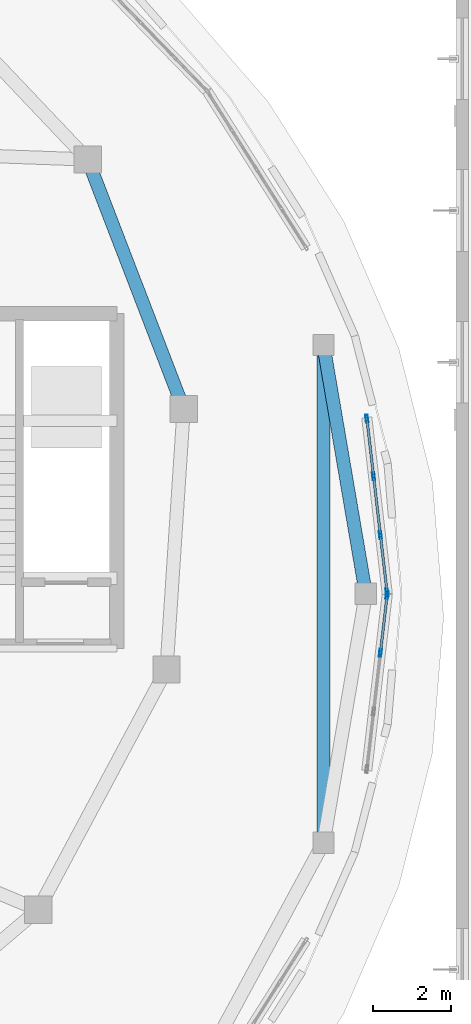
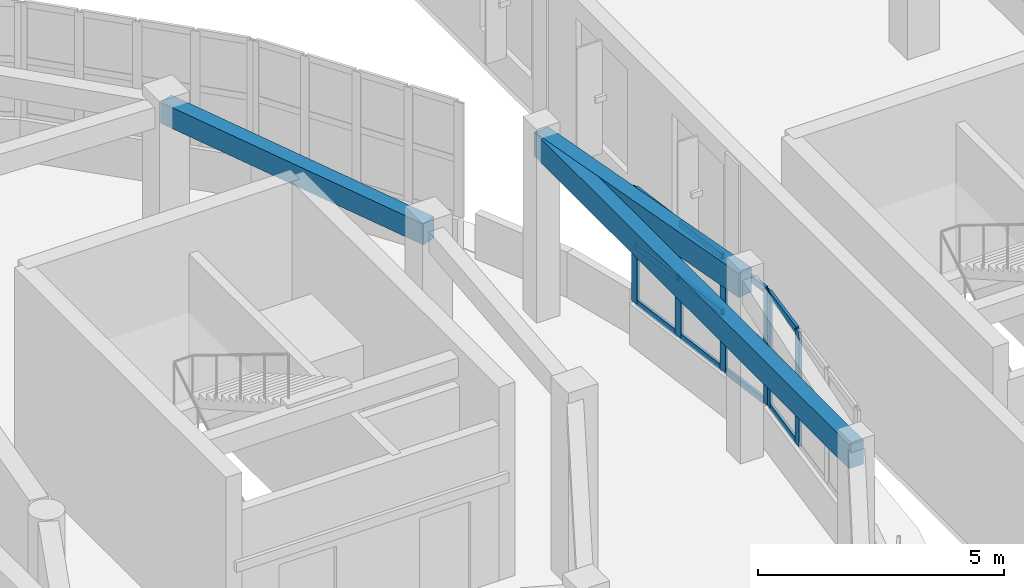
# One storey, part 51 of 98: 18 members, 3 beams, 2 elements without a shape of their own.
"""IFC4 building model written with IfcOpenShell, lengths in metres."""

from ifc_helpers import new_model, si_unit, direction, frame, origin, origin_2d, place, context, subcontext, project, spatial, rectangle, hollow_rectangle, extrude, material, layer, layer_set, material_profile, profile_set, type_object, element, aggregate, save


model = new_model("IFC4")

# Units and contexts
model_context = context("Model", 3, precision=1e-05, world=origin(), true_north=direction((0.0, 1.0)))
body_context = subcontext(model_context, "Body", "Model", "MODEL_VIEW")
ifc_project = project(units=[si_unit("LENGTHUNIT", "METRE"), si_unit("AREAUNIT", "SQUARE_METRE"), si_unit("VOLUMEUNIT", "CUBIC_METRE"), si_unit("PLANEANGLEUNIT", "RADIAN"), si_unit("MASSUNIT", "GRAM", prefix="KILO")], contexts=[model_context])

# Site, building, storey
site_placement = place(None, origin())
site = spatial("IfcSite", under=ifc_project, at=site_placement, CompositionType="ELEMENT")
building_placement = place(site_placement, origin())
building = spatial("IfcBuilding", under=site, at=building_placement, Name="Pelvatis Terrace Science Centre", CompositionType="ELEMENT")
storey_placement = place(building_placement, frame((0.0, 0.0, 5.39990234375)))
storey = spatial("IfcBuildingStorey", under=building, at=storey_placement, Name="L01", CompositionType="ELEMENT", Elevation=5.39990234375)

# Beam
ifc_material_1 = material(Name="Concrete C35/45", Category="concrete")
ifc_material_profile_1 = material_profile(ifc_material_1, rectangle(XDim=0.340087890625, YDim=0.52001953125, at=origin_2d()), Name="RC-BM 340x520")
ifc_profile_set_1 = profile_set([ifc_material_profile_1], Name="Concrete C35/45")
beam_type_1 = type_object("IfcBeamType", Name="BM-RC-340x520", PredefinedType="BEAM", material=ifc_profile_set_1)
beam_1_placement = place(storey_placement, frame((133.31884765625, 87.552001953125, 4.280029296875), z_axis=(-0.359224405227, 0.933251213066, 0.0), x_axis=(-0.933251213066, -0.359224405227, 0.0)))
element("IfcBeam", 1, at=beam_1_placement, inside=storey, type_object=beam_type_1, Name="Beam BM-L01-2621", PredefinedType="BEAM", context=body_context, shape_type="SweptSolid", body=[
    extrude(rectangle(XDim=0.340087890625, YDim=0.52001953125, at=origin_2d()), origin(), (0.0, 0.0, 1.0), 6.868408203125),
])

# Curtain wall, members
ifc_material_2 = material(Name="Bronze-anodised aluminium and laminated glass", Category="aluminium")
ifc_layer = layer(ifc_material_2, 0.199951171875)
ifc_layer_set = layer_set([ifc_layer], Name="Bronze-anodised aluminium and laminated glass")
curtain_wall_type = type_object("IfcCurtainWallType", Name="CW-RIBBON-B", PredefinedType="NOTDEFINED", material=ifc_layer_set)
curtain_wall_1_placement = place(storey_placement, origin())
curtain_wall_1 = element("IfcCurtainWall", 2, at=curtain_wall_1_placement, inside=storey, type_object=curtain_wall_type, Name="Ribbon curtain wall CW-126 (L01)", PredefinedType="NOTDEFINED")
ifc_material_3 = material(Name="Bronze-anodised aluminium 6063-T6", Category="aluminium")
ifc_material_profile_2 = material_profile(ifc_material_3, hollow_rectangle(XDim=0.06494140625, YDim=0.199951171875, WallThickness=0.00439453125, at=origin_2d()), Name="ALU-MUL 65x200")
ifc_profile_set_2 = profile_set([ifc_material_profile_2], Name="Bronze-anodised aluminium 6063-T6")
member_type_1 = type_object("IfcMemberType", Name="CWM-65x200", PredefinedType="MULLION", material=ifc_profile_set_2)
member_1_placement = place(storey_placement, frame((138.546142578125, 82.832275390625, 1.02001953125), z_axis=(0.0, 0.0, 1.0), x_axis=(-0.993307847727, -0.115496838239, 0.0)))
member_1 = element("IfcMember", 3, at=member_1_placement, type_object=member_type_1, Name="CW-126 mullion 1", PredefinedType="MULLION", context=body_context, shape_type="SweptSolid", body=[
    extrude(hollow_rectangle(XDim=0.06494140625, YDim=0.199951171875, WallThickness=0.00439453125, at=origin_2d()), origin(), (0.0, 0.0, 1.0), 2.840087890625),
])
member_2_placement = place(storey_placement, frame((138.374267578125, 84.31201171875, 1.02001953125), z_axis=(0.0, 0.0, 1.0), x_axis=(-0.993307847727, -0.115496838239, 0.0)))
member_2 = element("IfcMember", 4, at=member_2_placement, type_object=member_type_1, Name="CW-126 mullion 2", PredefinedType="MULLION", context=body_context, shape_type="SweptSolid", body=[
    extrude(hollow_rectangle(XDim=0.06494140625, YDim=0.199951171875, WallThickness=0.00439453125, at=origin_2d()), origin(), (0.0, 0.0, 1.0), 2.840087890625),
])
member_3_placement = place(storey_placement, frame((138.198486328125, 85.823974609375, 1.02001953125), z_axis=(0.0, 0.0, 1.0), x_axis=(-0.993307847727, -0.115496838239, 0.0)))
member_3 = element("IfcMember", 5, at=member_3_placement, type_object=member_type_1, Name="CW-126 mullion 3", PredefinedType="MULLION", context=body_context, shape_type="SweptSolid", body=[
    extrude(hollow_rectangle(XDim=0.06494140625, YDim=0.199951171875, WallThickness=0.00439453125, at=origin_2d()), origin(), (0.0, 0.0, 1.0), 2.840087890625),
])
member_4_placement = place(storey_placement, frame((138.0263671875, 87.303466796875, 1.02001953125), z_axis=(0.0, 0.0, 1.0), x_axis=(-0.993307847727, -0.115496838239, 0.0)))
member_4 = element("IfcMember", 6, at=member_4_placement, type_object=member_type_1, Name="CW-126 mullion 4", PredefinedType="MULLION", context=body_context, shape_type="SweptSolid", body=[
    extrude(hollow_rectangle(XDim=0.06494140625, YDim=0.199951171875, WallThickness=0.00439453125, at=origin_2d()), origin(), (0.0, 0.0, 1.0), 2.840087890625),
])

curtain_wall_2_placement = place(storey_placement, origin())
curtain_wall_2 = element("IfcCurtainWall", 7, at=curtain_wall_2_placement, inside=storey, type_object=curtain_wall_type, Name="Ribbon curtain wall CW-153 (L01)", PredefinedType="NOTDEFINED")
member_5_placement = place(storey_placement, frame((138.374267578125, 81.2880859375, 1.02001953125), z_axis=(0.0, 0.0, 1.0), x_axis=(-0.993307847727, 0.115496838239, 0.0)))
member_5 = element("IfcMember", 8, at=member_5_placement, type_object=member_type_1, Name="CW-153 mullion 3", PredefinedType="MULLION", context=body_context, shape_type="SweptSolid", body=[
    extrude(hollow_rectangle(XDim=0.06494140625, YDim=0.199951171875, WallThickness=0.00439453125, at=origin_2d()), origin(), (0.0, 0.0, 1.0), 2.840087890625),
])
member_6_placement = place(storey_placement, frame((138.546142578125, 82.767822265625, 1.02001953125), z_axis=(0.0, 0.0, 1.0), x_axis=(-0.993307847727, 0.115496838239, 0.0)))
member_6 = element("IfcMember", 9, at=member_6_placement, type_object=member_type_1, Name="CW-153 mullion 4", PredefinedType="MULLION", context=body_context, shape_type="SweptSolid", body=[
    extrude(hollow_rectangle(XDim=0.06494140625, YDim=0.199951171875, WallThickness=0.00439453125, at=origin_2d()), origin(), (0.0, 0.0, 1.0), 2.840087890625),
])

# Member
ifc_material_4 = material(Name="Bronze-anodised aluminium 6063-T6", Category="aluminium")
ifc_material_profile_3 = material_profile(ifc_material_4, hollow_rectangle(XDim=0.06494140625, YDim=0.159912109375, WallThickness=0.00390625, at=origin_2d()), Name="ALU-TRN 65x160")
ifc_profile_set_3 = profile_set([ifc_material_profile_3], Name="Bronze-anodised aluminium 6063-T6")
member_type_2 = type_object("IfcMemberType", Name="CWT-65x160", PredefinedType="USERDEFINED", material=ifc_profile_set_3)
member_7_placement = place(storey_placement, frame((138.54248046875, 82.864501953125, 1.052490234375), z_axis=(-0.1155087229, 0.993306465767, 0.0), x_axis=(-0.993306465767, -0.1155087229, 0.0)))
member_7 = element("IfcMember", 10, at=member_7_placement, type_object=member_type_2, Name="CW-126 transom 1.1", ObjectType="TRANSOM", PredefinedType="USERDEFINED", context=body_context, shape_type="SweptSolid", body=[
    extrude(hollow_rectangle(XDim=0.06494140625, YDim=0.159912109375, WallThickness=0.00390625, at=origin_2d()), origin(), (0.0, 0.0, 1.0), 1.424560546875),
])

member_8_placement = place(storey_placement, frame((138.54248046875, 82.864501953125, 2.440185546875), z_axis=(-0.1155087229, 0.993306465767, 0.0), x_axis=(-0.993306465767, -0.1155087229, 0.0)))
member_8 = element("IfcMember", 11, at=member_8_placement, type_object=member_type_2, Name="CW-126 transom 1.2", ObjectType="TRANSOM", PredefinedType="USERDEFINED", context=body_context, shape_type="SweptSolid", body=[
    extrude(hollow_rectangle(XDim=0.06494140625, YDim=0.159912109375, WallThickness=0.00390625, at=origin_2d()), origin(), (0.0, 0.0, 1.0), 1.424560546875),
])

member_9_placement = place(storey_placement, frame((138.54248046875, 82.864501953125, 3.82763671875), z_axis=(-0.1155087229, 0.993306465767, 0.0), x_axis=(-0.993306465767, -0.1155087229, 0.0)))
member_9 = element("IfcMember", 12, at=member_9_placement, type_object=member_type_2, Name="CW-126 transom 1.3", ObjectType="TRANSOM", PredefinedType="USERDEFINED", context=body_context, shape_type="SweptSolid", body=[
    extrude(hollow_rectangle(XDim=0.06494140625, YDim=0.159912109375, WallThickness=0.00390625, at=origin_2d()), origin(), (0.0, 0.0, 1.0), 1.424560546875),
])

member_10_placement = place(storey_placement, frame((138.370361328125, 84.34423828125, 1.052490234375), z_axis=(-0.115450875269, 0.993313190992, 0.0), x_axis=(-0.993313190992, -0.115450875269, 0.0)))
member_10 = element("IfcMember", 13, at=member_10_placement, type_object=member_type_2, Name="CW-126 transom 2.1", ObjectType="TRANSOM", PredefinedType="USERDEFINED", context=body_context, shape_type="SweptSolid", body=[
    extrude(hollow_rectangle(XDim=0.06494140625, YDim=0.159912109375, WallThickness=0.00390625, at=origin_2d()), origin(), (0.0, 0.0, 1.0), 1.45703125),
])

member_11_placement = place(storey_placement, frame((138.370361328125, 84.34423828125, 2.440185546875), z_axis=(-0.115450875269, 0.993313190992, 0.0), x_axis=(-0.993313190992, -0.115450875269, 0.0)))
member_11 = element("IfcMember", 14, at=member_11_placement, type_object=member_type_2, Name="CW-126 transom 2.2", ObjectType="TRANSOM", PredefinedType="USERDEFINED", context=body_context, shape_type="SweptSolid", body=[
    extrude(hollow_rectangle(XDim=0.06494140625, YDim=0.159912109375, WallThickness=0.00390625, at=origin_2d()), origin(), (0.0, 0.0, 1.0), 1.45703125),
])

member_12_placement = place(storey_placement, frame((138.370361328125, 84.34423828125, 3.82763671875), z_axis=(-0.115450875269, 0.993313190992, 0.0), x_axis=(-0.993313190992, -0.115450875269, 0.0)))
member_12 = element("IfcMember", 15, at=member_12_placement, type_object=member_type_2, Name="CW-126 transom 2.3", ObjectType="TRANSOM", PredefinedType="USERDEFINED", context=body_context, shape_type="SweptSolid", body=[
    extrude(hollow_rectangle(XDim=0.06494140625, YDim=0.159912109375, WallThickness=0.00390625, at=origin_2d()), origin(), (0.0, 0.0, 1.0), 1.45703125),
])

member_13_placement = place(storey_placement, frame((138.194580078125, 85.856201171875, 1.052490234375), z_axis=(-0.1155087229, 0.993306465767, 0.0), x_axis=(-0.993306465767, -0.1155087229, 0.0)))
member_13 = element("IfcMember", 16, at=member_13_placement, type_object=member_type_2, Name="CW-126 transom 3.1", ObjectType="TRANSOM", PredefinedType="USERDEFINED", context=body_context, shape_type="SweptSolid", body=[
    extrude(hollow_rectangle(XDim=0.06494140625, YDim=0.159912109375, WallThickness=0.00390625, at=origin_2d()), origin(), (0.0, 0.0, 1.0), 1.424560546875),
])

member_14_placement = place(storey_placement, frame((138.194580078125, 85.856201171875, 2.440185546875), z_axis=(-0.1155087229, 0.993306465767, 0.0), x_axis=(-0.993306465767, -0.1155087229, 0.0)))
member_14 = element("IfcMember", 17, at=member_14_placement, type_object=member_type_2, Name="CW-126 transom 3.2", ObjectType="TRANSOM", PredefinedType="USERDEFINED", context=body_context, shape_type="SweptSolid", body=[
    extrude(hollow_rectangle(XDim=0.06494140625, YDim=0.159912109375, WallThickness=0.00390625, at=origin_2d()), origin(), (0.0, 0.0, 1.0), 1.424560546875),
])

member_15_placement = place(storey_placement, frame((138.194580078125, 85.856201171875, 3.82763671875), z_axis=(-0.1155087229, 0.993306465767, 0.0), x_axis=(-0.993306465767, -0.1155087229, 0.0)))
member_15 = element("IfcMember", 18, at=member_15_placement, type_object=member_type_2, Name="CW-126 transom 3.3", ObjectType="TRANSOM", PredefinedType="USERDEFINED", context=body_context, shape_type="SweptSolid", body=[
    extrude(hollow_rectangle(XDim=0.06494140625, YDim=0.159912109375, WallThickness=0.00390625, at=origin_2d()), origin(), (0.0, 0.0, 1.0), 1.424560546875),
])

aggregate(curtain_wall_1, [member_1, member_2, member_3, member_4, member_7, member_8, member_9, member_10, member_11, member_12, member_13, member_14, member_15])

member_16_placement = place(storey_placement, frame((138.3779296875, 81.3203125, 1.052490234375), z_axis=(0.1155087229, 0.993306465767, 0.0), x_axis=(-0.993306465767, 0.1155087229, 0.0)))
member_16 = element("IfcMember", 19, at=member_16_placement, type_object=member_type_2, Name="CW-153 transom 3.1", ObjectType="TRANSOM", PredefinedType="USERDEFINED", context=body_context, shape_type="SweptSolid", body=[
    extrude(hollow_rectangle(XDim=0.06494140625, YDim=0.159912109375, WallThickness=0.00390625, at=origin_2d()), origin(), (0.0, 0.0, 1.0), 1.424560546875),
])

member_17_placement = place(storey_placement, frame((138.3779296875, 81.3203125, 2.440185546875), z_axis=(0.1155087229, 0.993306465767, 0.0), x_axis=(-0.993306465767, 0.1155087229, 0.0)))
member_17 = element("IfcMember", 20, at=member_17_placement, type_object=member_type_2, Name="CW-153 transom 3.2", ObjectType="TRANSOM", PredefinedType="USERDEFINED", context=body_context, shape_type="SweptSolid", body=[
    extrude(hollow_rectangle(XDim=0.06494140625, YDim=0.159912109375, WallThickness=0.00390625, at=origin_2d()), origin(), (0.0, 0.0, 1.0), 1.424560546875),
])

member_18_placement = place(storey_placement, frame((138.3779296875, 81.3203125, 3.82763671875), z_axis=(0.1155087229, 0.993306465767, 0.0), x_axis=(-0.993306465767, 0.1155087229, 0.0)))
member_18 = element("IfcMember", 21, at=member_18_placement, type_object=member_type_2, Name="CW-153 transom 3.3", ObjectType="TRANSOM", PredefinedType="USERDEFINED", context=body_context, shape_type="SweptSolid", body=[
    extrude(hollow_rectangle(XDim=0.06494140625, YDim=0.159912109375, WallThickness=0.00390625, at=origin_2d()), origin(), (0.0, 0.0, 1.0), 1.424560546875),
])

aggregate(curtain_wall_2, [member_5, member_6, member_16, member_17, member_18])

# Beams
ifc_material_5 = material(Name="Concrete C35/45", Category="concrete")
ifc_material_profile_4 = material_profile(ifc_material_5, rectangle(XDim=0.340087890625, YDim=0.60009765625, at=origin_2d()), Name="RC-SPN 340x600")
ifc_profile_set_4 = profile_set([ifc_material_profile_4], Name="Concrete C35/45")
beam_type_2 = type_object("IfcBeamType", Name="SPN-RC-340x600", PredefinedType="SPANDREL", material=ifc_profile_set_4)
beam_2_placement = place(storey_placement, frame((138.0, 82.800048828125, 4.239990234375), z_axis=(-0.167955755204, 0.985794534522, 0.0), x_axis=(-0.985794534522, -0.167955755204, 0.0)))
element("IfcBeam", 22, at=beam_2_placement, inside=storey, type_object=beam_type_2, Name="Spandrel SP-L01-2654", PredefinedType="SPANDREL", context=body_context, shape_type="SweptSolid", body=[
    extrude(rectangle(XDim=0.340087890625, YDim=0.60009765625, at=origin_2d()), origin(), (0.0, 0.0, 1.0), 6.4873046875),
])
beam_3_placement = place(storey_placement, frame((136.910400390625, 89.1953125, 4.239990234375), z_axis=(0.0, -1.0, 0.0), x_axis=(1.0, 0.0, 0.0)))
element("IfcBeam", 23, at=beam_3_placement, inside=storey, type_object=beam_type_2, Name="Spandrel SP-L01-2656", PredefinedType="SPANDREL", context=body_context, shape_type="SweptSolid", body=[
    extrude(rectangle(XDim=0.340087890625, YDim=0.60009765625, at=origin_2d()), origin(), (0.0, 0.0, 1.0), 12.79052734375),
])

save(model, "model.ifc")
